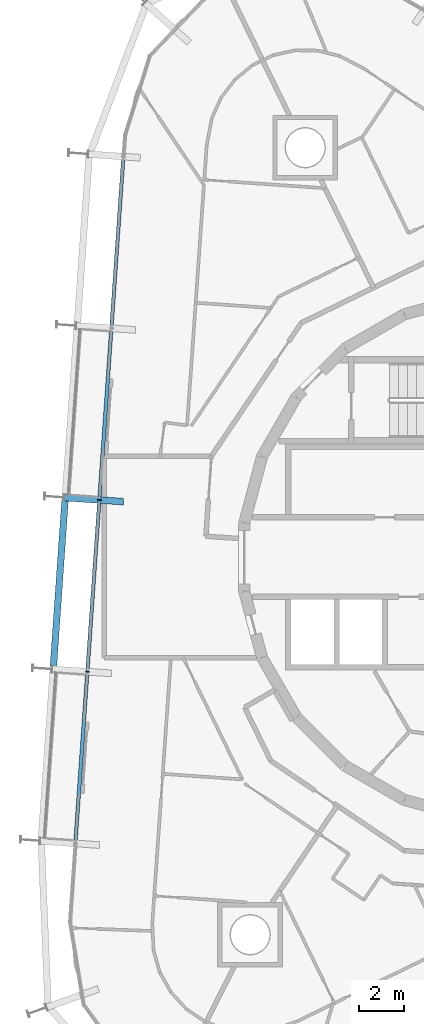
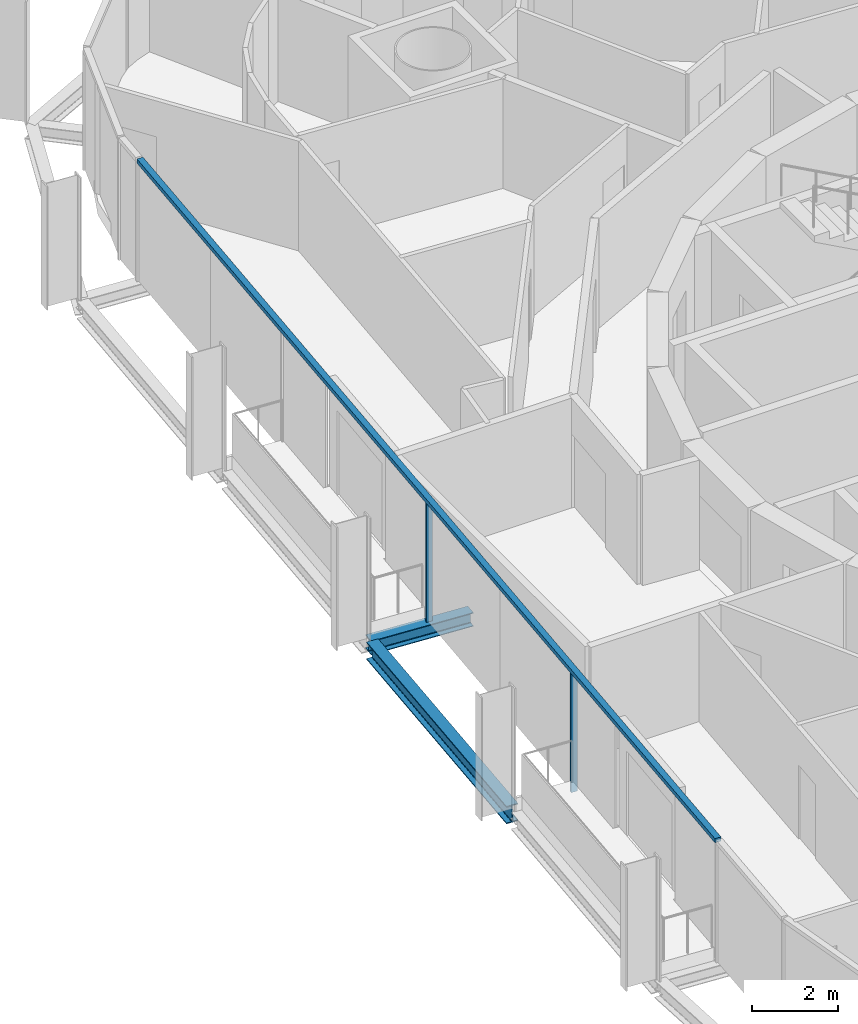
# One storey, part 4 of 18: 3 members, 2 beams, 1 element without a shape of its own.
"""IFC4 building model written with IfcOpenShell, lengths in metres."""

from ifc_helpers import new_model, si_unit, direction, frame, origin, origin_2d, place, context, subcontext, project, spatial, rectangle, i_section, extrude, material, layer, layer_set, material_profile, profile_set, type_object, element, aggregate, save


model = new_model("IFC4")

# Units and contexts
model_context = context("Model", 3, precision=1e-05, world=origin(), true_north=direction((0.0, 1.0)))
body_context = subcontext(model_context, "Body", "Model", "MODEL_VIEW")
ifc_project = project(units=[si_unit("LENGTHUNIT", "METRE"), si_unit("AREAUNIT", "SQUARE_METRE"), si_unit("VOLUMEUNIT", "CUBIC_METRE"), si_unit("PLANEANGLEUNIT", "RADIAN"), si_unit("MASSUNIT", "GRAM", prefix="KILO")], contexts=[model_context])

# Site, building, storey
site_placement = place(None, origin())
site = spatial("IfcSite", under=ifc_project, at=site_placement, CompositionType="ELEMENT")
building_placement = place(site_placement, origin())
building = spatial("IfcBuilding", under=site, at=building_placement, Name="Spindle Arch Residences", CompositionType="ELEMENT")
storey_placement = place(building_placement, frame((0.0, 0.0, 205.89990234375)))
storey = spatial("IfcBuildingStorey", under=building, at=storey_placement, Name="L52", CompositionType="ELEMENT", Elevation=205.89990234375)

# Curtain wall, members
ifc_material_1 = material(Name="Aluminium bronze unitised frame with tinted glass", Category="aluminium")
ifc_layer = layer(ifc_material_1, 0.159912109375)
ifc_layer_set = layer_set([ifc_layer], Name="CW-C typical residential unitised wall")
curtain_wall_type = type_object("IfcCurtainWallType", Name="CW-C typical residential unitised wall", PredefinedType="NOTDEFINED", material=ifc_layer_set)
curtain_wall_placement = place(storey_placement, origin())
curtain_wall = element("IfcCurtainWall", 1, at=curtain_wall_placement, inside=storey, type_object=curtain_wall_type, Name="CW-C L52 run 4", PredefinedType="NOTDEFINED")
ifc_material_2 = material(Name="Aluminium bronze anodised mullion", Category="aluminium")
ifc_material_profile_1 = material_profile(ifc_material_2, rectangle(XDim=0.159912109375, YDim=0.06005859375, at=origin_2d()), Name="MU 60x160")
ifc_profile_set_1 = profile_set([ifc_material_profile_1], Name="Aluminium bronze anodised mullion")
member_type_1 = type_object("IfcMemberType", Name="Bronze mullion 60x160", PredefinedType="MULLION", material=ifc_profile_set_1)
member_1_placement = place(storey_placement, frame((-18.126708984375, 2.552978515625, -0.3798828125), z_axis=(0.0, 0.0, 1.0), x_axis=(0.99756405026, -0.069756473744, 0.0)))
member_1 = element("IfcMember", 2, at=member_1_placement, type_object=member_type_1, Name="CW-C mullion 14", PredefinedType="MULLION", context=body_context, shape_type="SweptSolid", body=[
    extrude(rectangle(XDim=0.159912109375, YDim=0.06005859375, at=origin_2d()), origin(), (0.0, 0.0, 1.0), 3.3798828125),
])
member_2_placement = place(storey_placement, frame((-18.66357421875, -5.1220703125, -0.3798828125), z_axis=(0.0, 0.0, 1.0), x_axis=(0.99756405026, -0.069756473744, 0.0)))
member_2 = element("IfcMember", 3, at=member_2_placement, type_object=member_type_1, Name="CW-C mullion 15", PredefinedType="MULLION", context=body_context, shape_type="SweptSolid", body=[
    extrude(rectangle(XDim=0.159912109375, YDim=0.06005859375, at=origin_2d()), origin(), (0.0, 0.0, 1.0), 3.3798828125),
])
ifc_material_3 = material(Name="Aluminium bronze anodised transom", Category="aluminium")
ifc_material_profile_2 = material_profile(ifc_material_3, rectangle(XDim=0.159912109375, YDim=0.1201171875, at=origin_2d()), Name="TR 120x160")
ifc_profile_set_2 = profile_set([ifc_material_profile_2], Name="Aluminium bronze anodised transom")
member_type_2 = type_object("IfcMemberType", Name="Bronze transom 120x160", PredefinedType="USERDEFINED", material=ifc_profile_set_2)
member_3_placement = place(storey_placement, frame((-17.0556640625, 17.873046875, 3.06005859375), z_axis=(-0.069748921728, -0.997564578319, 0.0), x_axis=(0.997564578319, -0.069748921728, 0.0)))
member_3 = element("IfcMember", 4, at=member_3_placement, type_object=member_type_2, Name="CW-C transom 00", ObjectType="TRANSOM", PredefinedType="USERDEFINED", context=body_context, shape_type="SweptSolid", body=[
    extrude(rectangle(XDim=0.159912109375, YDim=0.1201171875, at=origin_2d()), origin(), (0.0, 0.0, 1.0), 30.71484375),
])
aggregate(curtain_wall, [member_3, member_1, member_2])

# Beams
ifc_material_4 = material(Name="Steel S460ML, intumescent coating R 120", Category="steel")
ifc_material_profile_3 = material_profile(ifc_material_4, i_section(OverallWidth=0.300048828125, OverallDepth=0.5, WebThickness=0.014404296875, FlangeThickness=0.028076171875, FilletRadius=0.027099609375, at=origin_2d()), Name="HEB 500")
ifc_profile_set_3 = profile_set([ifc_material_profile_3], Name="Steel S460ML, intumescent coating R 120")
beam_type_1 = type_object("IfcBeamType", Name="Exoskeleton edge beam HEB 500", PredefinedType="BEAM", material=ifc_profile_set_3)
beam_1_placement = place(storey_placement, frame((-19.662109375, 2.530029296875, -0.6298828125), z_axis=(-0.069757879566, -0.997563951954, 0.0), x_axis=(0.997563951954, -0.069757879566, 0.0)))
element("IfcBeam", 5, at=beam_1_placement, inside=storey, type_object=beam_type_1, Name="Exoskeleton edge beam 15", PredefinedType="BEAM", context=body_context, shape_type="SweptSolid", body=[
    extrude(i_section(OverallWidth=0.300048828125, OverallDepth=0.5, WebThickness=0.014404296875, FlangeThickness=0.028076171875, FilletRadius=0.027099609375, at=origin_2d()), origin(), (0.0, 0.0, 1.0), 7.43359375),
])
ifc_material_5 = material(Name="Steel S460ML, intumescent coating R 120", Category="steel")
ifc_material_profile_4 = material_profile(ifc_material_5, i_section(OverallWidth=0.300048828125, OverallDepth=0.389892578125, WebThickness=0.010986328125, FlangeThickness=0.01904296875, FilletRadius=0.027099609375, at=origin_2d()), Name="HEA 400")
ifc_profile_set_4 = profile_set([ifc_material_profile_4], Name="Steel S460ML, intumescent coating R 120")
beam_type_2 = type_object("IfcBeamType", Name="Floor outrigger HEA 400", PredefinedType="BEAM", material=ifc_profile_set_4)
beam_2_placement = place(storey_placement, frame((-19.693115234375, 2.66259765625, -0.574951171875), z_axis=(0.997565124092, -0.069741115528, 0.0), x_axis=(0.069741115528, 0.997565124092, 0.0)))
element("IfcBeam", 6, at=beam_2_placement, inside=storey, type_object=beam_type_2, Name="Floor outrigger 15", PredefinedType="BEAM", context=body_context, shape_type="SweptSolid", body=[
    extrude(i_section(OverallWidth=0.300048828125, OverallDepth=0.389892578125, WebThickness=0.010986328125, FlangeThickness=0.01904296875, FilletRadius=0.027099609375, at=origin_2d()), origin(), (0.0, 0.0, 1.0), 2.64990234375),
])

save(model, "model.ifc")
